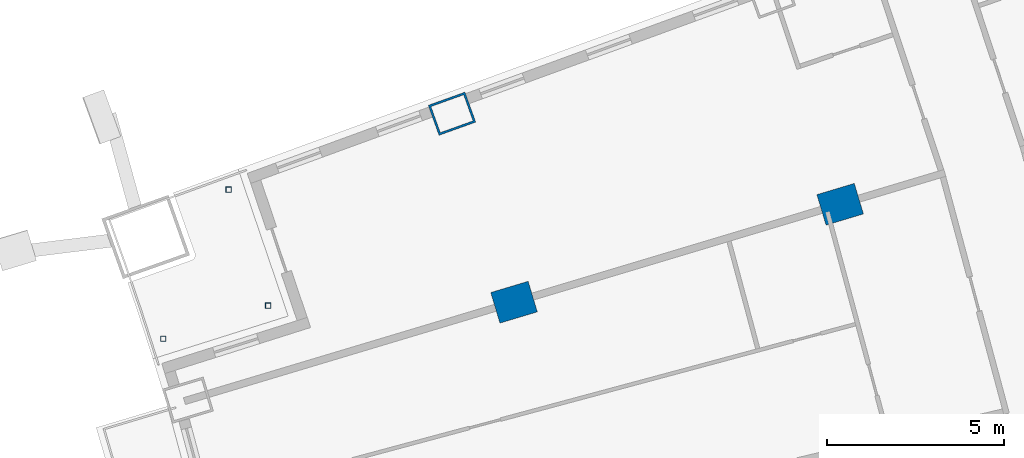
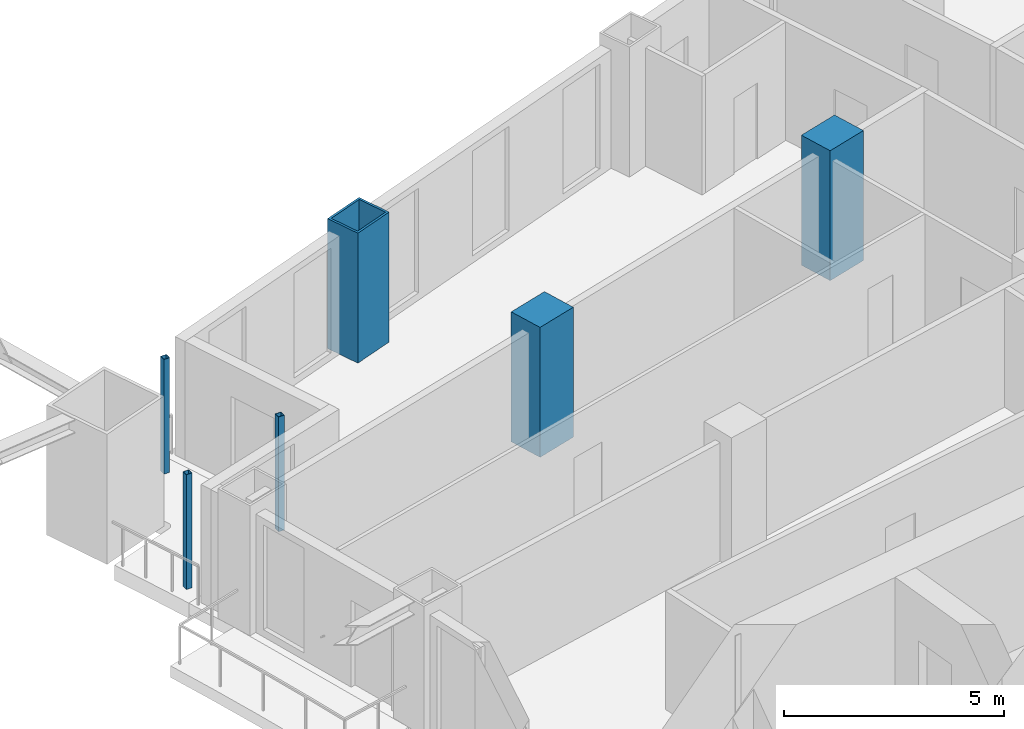
# One storey, part 6 of 22: 6 columns.
"""IFC4 building model written with IfcOpenShell, lengths in metres."""

from ifc_helpers import new_model, si_unit, direction, frame, origin, origin_2d, place, context, subcontext, project, spatial, rectangle, hollow_rectangle, extrude, material, material_profile, profile_set, type_object, element, save


model = new_model("IFC4")

# Units and contexts
model_context = context("Model", 3, precision=1e-05, world=origin(), true_north=direction((0.0, 1.0)))
body_context = subcontext(model_context, "Body", "Model", "MODEL_VIEW")
ifc_project = project(units=[si_unit("LENGTHUNIT", "METRE"), si_unit("AREAUNIT", "SQUARE_METRE"), si_unit("VOLUMEUNIT", "CUBIC_METRE"), si_unit("PLANEANGLEUNIT", "RADIAN"), si_unit("MASSUNIT", "GRAM", prefix="KILO")], contexts=[model_context])

# Site, building, storey
site_placement = place(None, origin())
site = spatial("IfcSite", under=ifc_project, at=site_placement, CompositionType="ELEMENT")
building_placement = place(site_placement, origin())
building = spatial("IfcBuilding", under=site, at=building_placement, Name="Alderwake Tower", CompositionType="ELEMENT")
storey_placement = place(building_placement, frame((0.0, 0.0, 50.0)))
storey = spatial("IfcBuildingStorey", under=building, at=storey_placement, Name="L11", CompositionType="ELEMENT", Elevation=50.0)

# Columns
ifc_material_1 = material(Name="Steel ASTM A572 Grade 50 concrete filled C70/85", Category="concrete")
ifc_material_profile_1 = material_profile(ifc_material_1, hollow_rectangle(XDim=0.89990234375, YDim=1.10009765625, WallThickness=0.06005859375, at=origin_2d()), Name="BOX 1100X900X60")
ifc_profile_set_1 = profile_set([ifc_material_profile_1], Name="Steel ASTM A572 Grade 50 concrete filled C70/85")
column_type_1 = type_object("IfcColumnType", Name="End column Z1", PredefinedType="COLUMN", material=ifc_profile_set_1)
column_placement = place(storey_placement, frame((19.965576171875, 96.8515625, 0.0), z_axis=(0.0, 0.0, 1.0), x_axis=(-0.337584879279, 0.9412950915, 0.0)))
element("IfcColumn", 1, at=column_placement, inside=storey, type_object=column_type_1, Name="Column R13-C1", PredefinedType="COLUMN", context=body_context, shape_type="SweptSolid", body=[
    extrude(hollow_rectangle(XDim=0.89990234375, YDim=1.10009765625, WallThickness=0.06005859375, at=origin_2d()), origin(), (0.0, 0.0, 1.0), 3.60009765625),
])
ifc_material_2 = material(Name="Concrete C70/85", Category="concrete")
ifc_material_profile_2 = material_profile(ifc_material_2, rectangle(XDim=0.89990234375, YDim=1.10009765625, at=origin_2d()), Name="RC 1100X900")
ifc_profile_set_2 = profile_set([ifc_material_profile_2], Name="Concrete C70/85")
column_type_2 = type_object("IfcColumnType", Name="Interior column Z1", PredefinedType="COLUMN", material=ifc_profile_set_2)
for number, where, z_axis, x_axis, name in (
    (2, (21.714599609375, 91.53759765625, 0.0), (0.0, 0.0, 1.0), (-0.287549418125, 0.957765802342, 0.0), "Column R12-C1"),
    (3, (30.9091796875, 94.298095703125, 0.0), (0.0, 0.0, 1.0), (-0.287549418125, 0.957765802342, 0.0), "Column R12-C2"),
):
    element("IfcColumn", number, at=place(storey_placement, frame(where, z_axis=z_axis, x_axis=x_axis)), inside=storey, type_object=column_type_2, Name=name, PredefinedType="COLUMN", context=body_context, shape_type="SweptSolid", body=[
        extrude(rectangle(XDim=0.89990234375, YDim=1.10009765625, at=origin_2d()), origin(), (0.0, 0.0, 1.0), 3.60009765625),
    ])
ifc_material_3 = material(Name="Steel ASTM A500 Grade C", Category="steel")
ifc_material_profile_3 = material_profile(ifc_material_3, hollow_rectangle(XDim=0.15234375, YDim=0.15234375, WallThickness=0.0087890625, at=origin_2d()), Name="HSS6X6X3/8")
ifc_profile_set_3 = profile_set([ifc_material_profile_3], Name="Steel ASTM A500 Grade C")
column_type_3 = type_object("IfcColumnType", Name="Light post HSS6X6X3/8", PredefinedType="COLUMN", material=ifc_profile_set_3)
for number, where, z_axis, x_axis, name in (
    (4, (11.82568359375, 90.507080078125, 0.0), (0.0, 0.0, 1.0), (1.0, 0.0, 0.0), "Terrace post RN1"),
    (5, (13.66796875, 94.71240234375, 0.0), (0.0, 0.0, 1.0), (1.0, 0.0, 0.0), "Terrace post RN2"),
    (6, (14.781494140625, 91.441650390625, 0.0), (0.0, 0.0, 1.0), (1.0, 0.0, 0.0), "Terrace post RN3"),
):
    element("IfcColumn", number, at=place(storey_placement, frame(where, z_axis=z_axis, x_axis=x_axis)), inside=storey, type_object=column_type_3, Name=name, PredefinedType="COLUMN", context=body_context, shape_type="SweptSolid", body=[
        extrude(hollow_rectangle(XDim=0.15234375, YDim=0.15234375, WallThickness=0.0087890625, at=origin_2d()), origin(), (0.0, 0.0, 1.0), 3.179931640625),
    ])

save(model, "model.ifc")
